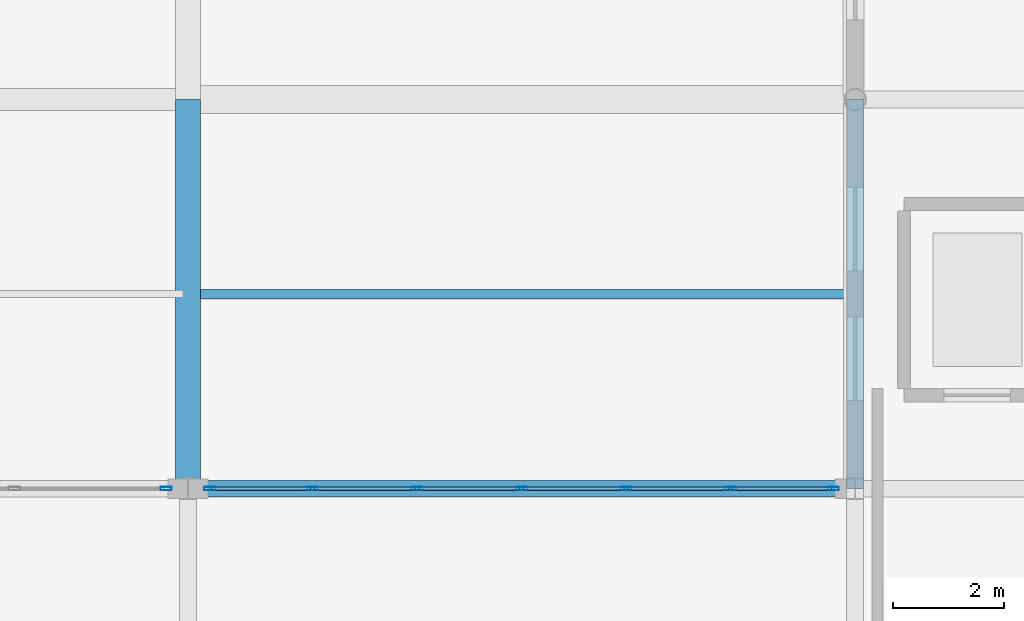
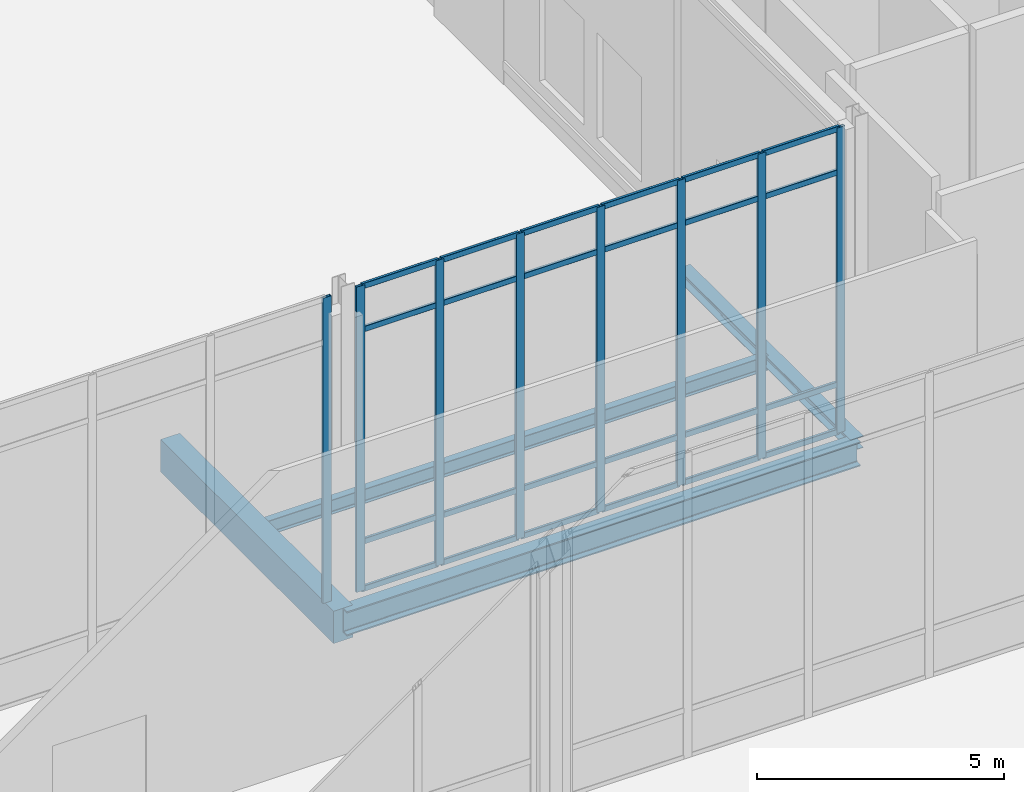
# One storey, part 110 of 176: 32 members, 4 beams, 2 elements without a shape of their own.
"""IFC4 building model written with IfcOpenShell, lengths in metres."""

import ifcopenshell
import ifcopenshell.guid

model = None  # the IFC model being written
_history = None  # IfcOwnerHistory: only IFC2X3 demands one
_inside = {}  # id of a spatial element -> (the spatial element, [elements in it])
_under = {}  # id of a project, library or spatial element -> (it, [spatial elements below it])
_declared = {}  # id of a project -> (the project, [libraries it declares])
_typed = {}  # id of a type object -> (the type object, [elements of that type])
_made_of = {}  # id of a material, layer set ... -> (it, [elements and type objects made of it])


def new_model(schema):
    """Start an empty IFC model of exactly this schema.

    Asked for "IFC4X3", IfcOpenShell would pick the latest addendum, in which some entities
    have other attributes; the version numbers below select the first issue.
    IFC2X3 requires an IfcOwnerHistory on every rooted entity: one is made here for all.
    """
    global model, _history
    if schema == "IFC4X3":
        model = ifcopenshell.file(schema_version=(4, 3, 0, 0))
    else:
        model = ifcopenshell.file(schema=schema)
    _inside.clear()
    _under.clear()
    _declared.clear()
    _typed.clear()
    _made_of.clear()
    _history = None
    if model.schema == "IFC2X3":
        org = make("IfcOrganization", Name="unknown")
        user = make(
            "IfcPersonAndOrganization",
            ThePerson=make("IfcPerson", FamilyName="unknown"),
            TheOrganization=org,
        )
        app = make(
            "IfcApplication",
            ApplicationDeveloper=org,
            Version="unknown",
            ApplicationFullName="unknown",
            ApplicationIdentifier="unknown",
        )
        _history = make(
            "IfcOwnerHistory",
            OwningUser=user,
            OwningApplication=app,
            ChangeAction="ADDED",
            CreationDate=0,
        )
    return model


def make(cls, **values):
    """One entity of the class cls with the attributes given. An attribute that is None is left unset."""
    return model.create_entity(
        cls, **{name: value for name, value in values.items() if value is not None}
    )


def rooted(cls, **values):
    """An entity with a GlobalId (a new one), such as an element, a storey or a relation."""
    return make(cls, GlobalId=ifcopenshell.guid.new(), OwnerHistory=_history, **values)


def si_unit(unit_type, name, prefix=None):
    """IfcSIUnit, for example si_unit("LENGTHUNIT", "METRE", prefix="MILLI")."""
    return make("IfcSIUnit", UnitType=unit_type, Prefix=prefix, Name=name)


def assignment(units):
    """IfcUnitAssignment: the units of a project."""
    return None if units is None else make("IfcUnitAssignment", Units=units)


def point(xyz):
    """IfcCartesianPoint."""
    return None if xyz is None else make("IfcCartesianPoint", Coordinates=xyz)


def direction(xyz):
    """IfcDirection."""
    return None if xyz is None else make("IfcDirection", DirectionRatios=xyz)


def frame(location, z_axis=None, x_axis=None):
    """IfcAxis2Placement3D, a coordinate frame: its origin and axes. An axis left out is left unset."""
    return make(
        "IfcAxis2Placement3D",
        Location=point(location),
        Axis=direction(z_axis),
        RefDirection=direction(x_axis),
    )


def frame_2d(location, x_axis=None):
    """IfcAxis2Placement2D, a coordinate frame in the plane: its origin and x axis."""
    return make(
        "IfcAxis2Placement2D", Location=point(location), RefDirection=direction(x_axis)
    )


def origin():
    """The frame at (0, 0, 0) with its axes left unset."""
    return frame((0.0, 0.0, 0.0))


def origin_2d():
    """The frame at (0, 0) in the plane with its x axis left unset."""
    return frame_2d((0.0, 0.0))


def place(relative_to, where):
    """IfcLocalPlacement: puts the frame where relative to a parent placement (None: the world)."""
    return make(
        "IfcLocalPlacement", PlacementRelTo=relative_to, RelativePlacement=where
    )


def context(
    kind, dimensions, precision=None, world=None, true_north=None, identifier=None
):
    """IfcGeometricRepresentationContext, for example the 3D "Model" context."""
    return make(
        "IfcGeometricRepresentationContext",
        ContextIdentifier=identifier,
        ContextType=kind,
        CoordinateSpaceDimension=dimensions,
        Precision=precision,
        WorldCoordinateSystem=world,
        TrueNorth=true_north,
    )


def subcontext(parent, identifier, kind, view, scale=None):
    """IfcGeometricRepresentationSubContext, for example "Body" below "Model"."""
    return make(
        "IfcGeometricRepresentationSubContext",
        ContextIdentifier=identifier,
        ContextType=kind,
        ParentContext=parent,
        TargetScale=scale,
        TargetView=view,
    )


def project(units=None, contexts=None):
    """IfcProject with its units and contexts."""
    return rooted(
        "IfcProject",
        Name="project",
        RepresentationContexts=contexts,
        UnitsInContext=assignment(units),
    )


def spatial(cls, under=None, at=None, **own):
    """A site, building, storey or space (cls), placed at a placement, below another one or the project."""
    s = rooted(cls, ObjectPlacement=at, **own)
    if under is not None:
        _under.setdefault(under.id(), (under, []))[1].append(s)
    return s


def profile(cls, at=None, kind="AREA", **sizes):
    """A parametric profile (cls). Its sizes go by their IFC names, for example OverallWidth=200.0."""
    return make(cls, ProfileType=kind, Position=at, **sizes)


def rectangle(**sizes):
    """IfcRectangleProfileDef."""
    return profile("IfcRectangleProfileDef", **sizes)


def hollow_rectangle(**sizes):
    """IfcRectangleHollowProfileDef."""
    return profile("IfcRectangleHollowProfileDef", **sizes)


def i_section(**sizes):
    """IfcIShapeProfileDef."""
    return profile("IfcIShapeProfileDef", **sizes)


def extrude(swept, where, along, depth):
    """IfcExtrudedAreaSolid: the profile swept, set in the frame where, extruded along a direction by depth."""
    return make(
        "IfcExtrudedAreaSolid",
        SweptArea=swept,
        Position=where,
        ExtrudedDirection=direction(along),
        Depth=depth,
    )


def shape(context_of_items, identifier, shape_type, items):
    """IfcShapeRepresentation: the items that make up one representation, for example the "Body"."""
    return make(
        "IfcShapeRepresentation",
        ContextOfItems=context_of_items,
        RepresentationIdentifier=identifier,
        RepresentationType=shape_type,
        Items=items,
    )


def material(Name=None, Category=None):
    """IfcMaterial."""
    return make("IfcMaterial", Name=Name, Category=Category)


def layer(
    of_material, thickness, ventilated=None, Name=None, Category=None, Priority=None
):
    """IfcMaterialLayer: one layer of a wall or slab, of a material (None: an air gap)."""
    return make(
        "IfcMaterialLayer",
        Material=of_material,
        LayerThickness=thickness,
        IsVentilated=ventilated,
        Name=Name,
        Category=Category,
        Priority=Priority,
    )


def layer_set(layers, Name=None):
    """IfcMaterialLayerSet."""
    return make("IfcMaterialLayerSet", MaterialLayers=layers, LayerSetName=Name)


def material_profile(
    of_material, cross_section, Name=None, Category=None, Priority=None
):
    """IfcMaterialProfile: a cross section and its material."""
    return make(
        "IfcMaterialProfile",
        Name=Name,
        Material=of_material,
        Profile=cross_section,
        Priority=Priority,
        Category=Category,
    )


def profile_set(profiles, Name=None, composite=None):
    """IfcMaterialProfileSet."""
    return make(
        "IfcMaterialProfileSet",
        Name=Name,
        MaterialProfiles=profiles,
        CompositeProfile=composite,
    )


def made_of(thing, what):
    """Note that an element or type object is made of a material, layer set ...; save() writes the relation."""
    if what is not None:
        _made_of.setdefault(what.id(), (what, []))[1].append(thing)
    return thing


def type_object(cls, material=None, **own):
    """A type object (cls), such as IfcWallType, which elements share."""
    return made_of(rooted(cls, **own), material)


def element(
    cls,
    number,
    at=None,
    inside=None,
    cuts=None,
    type_object=None,
    material=None,
    context=None,
    identifier="Body",
    shape_type=None,
    held_by="IfcProductDefinitionShape",
    body=None,
    shapes=None,
    **own,
):
    """One element of the class cls, such as IfcWall. Its Tag is "e" and its number.

    at: its placement. inside: the storey or other place that contains it. cuts: it is an
    opening in that element (IfcRelVoidsElement). A single representation is given by context,
    identifier, shape_type and body (its items); several are given by shapes. held_by: the class
    of the entity that holds the representations. save() writes the other relations.
    """
    e = rooted(cls, Tag="e%d" % number, ObjectPlacement=at, **own)
    if body is not None:
        shapes = [shape(context, identifier, shape_type, body)]
    if shapes is not None:
        e.Representation = make(held_by, Representations=shapes)
    if inside is not None:
        _inside.setdefault(inside.id(), (inside, []))[1].append(e)
    if cuts is not None:
        rooted(
            "IfcRelVoidsElement", RelatingBuildingElement=cuts, RelatedOpeningElement=e
        )
    if type_object is not None:
        _typed.setdefault(type_object.id(), (type_object, []))[1].append(e)
    return made_of(e, material)


def aggregate(whole, parts):
    """IfcRelAggregates: a whole, such as a stair, and the parts it consists of."""
    return rooted("IfcRelAggregates", RelatingObject=whole, RelatedObjects=parts)


def save(model, path):
    """Write the relations noted so far, then the file.

    IfcRelAggregates (storeys below a building ...), IfcRelContainedInSpatialStructure (elements
    in a storey), IfcRelDefinesByType, IfcRelAssociatesMaterial and IfcRelDeclares: one each for
    every whole, place, type object, material and project.
    """
    for whole, parts in _under.values():
        aggregate(whole, parts)
    for where, things in _inside.values():
        rooted(
            "IfcRelContainedInSpatialStructure",
            RelatedElements=things,
            RelatingStructure=where,
        )
    for kind, things in _typed.values():
        rooted("IfcRelDefinesByType", RelatedObjects=things, RelatingType=kind)
    for what, things in _made_of.values():
        rooted("IfcRelAssociatesMaterial", RelatedObjects=things, RelatingMaterial=what)
    for by, libraries in _declared.values():
        rooted("IfcRelDeclares", RelatingContext=by, RelatedDefinitions=libraries)
    model.write(path)


model = new_model("IFC4")

# Units and contexts
model_context = context("Model", 3, precision=1e-05, world=origin(), true_north=direction((0.0, 1.0)))
body_context = subcontext(model_context, "Body", "Model", "MODEL_VIEW")
ifc_project = project(units=[si_unit("LENGTHUNIT", "METRE"), si_unit("AREAUNIT", "SQUARE_METRE"), si_unit("VOLUMEUNIT", "CUBIC_METRE"), si_unit("PLANEANGLEUNIT", "RADIAN"), si_unit("MASSUNIT", "GRAM", prefix="KILO")], contexts=[model_context])

# Site, building, storey
site_placement = place(None, origin())
site = spatial("IfcSite", under=ifc_project, at=site_placement, CompositionType="ELEMENT")
building_placement = place(site_placement, origin())
building = spatial("IfcBuilding", under=site, at=building_placement, Name="Vekula Escarpment Museum", CompositionType="ELEMENT")
storey_placement = place(building_placement, origin())
storey = spatial("IfcBuildingStorey", under=building, at=storey_placement, Name="L01", CompositionType="ELEMENT", Elevation=0.0)

# Beams
ifc_material_1 = material(Name="Steel S355", Category="steel")
ifc_material_profile_1 = material_profile(ifc_material_1, i_section(OverallWidth=0.300048828125, OverallDepth=0.60009765625, WebThickness=0.015380859375, FlangeThickness=0.030029296875, FilletRadius=0.027099609375, at=origin_2d()), Name="HEB 600")
ifc_profile_set_1 = profile_set([ifc_material_profile_1], Name="Steel S355")
beam_type_1 = type_object("IfcBeamType", Name="BM-GIRD-HEB600", PredefinedType="BEAM", material=ifc_profile_set_1)
beam_1_placement = place(storey_placement, frame((155.0, 76.39990234375, -0.60009765625), z_axis=(1.0, 0.0, 0.0), x_axis=(0.0, 1.0, 0.0)))
element("IfcBeam", 1, at=beam_1_placement, inside=storey, type_object=beam_type_1, Name="Beam X L01 0225", PredefinedType="BEAM", context=body_context, shape_type="SweptSolid", body=[
    extrude(i_section(OverallWidth=0.300048828125, OverallDepth=0.60009765625, WebThickness=0.015380859375, FlangeThickness=0.030029296875, FilletRadius=0.027099609375, at=origin_2d()), origin(), (0.0, 0.0, 1.0), 12.0),
])
ifc_material_2 = material(Name="Steel S355", Category="steel")
ifc_material_profile_2 = material_profile(ifc_material_2, i_section(OverallWidth=0.169921875, OverallDepth=0.360107421875, WebThickness=0.008056640625, FlangeThickness=0.0126953125, FilletRadius=0.01806640625, at=origin_2d()), Name="IPE 360")
ifc_profile_set_2 = profile_set([ifc_material_profile_2], Name="Steel S355")
beam_type_2 = type_object("IfcBeamType", Name="BM-JST-IPE360", PredefinedType="JOIST", material=ifc_profile_set_2)
beam_2_placement = place(storey_placement, frame((155.090087890625, 79.89990234375, -0.47998046875), z_axis=(1.0, 0.0, 0.0), x_axis=(0.0, 1.0, 0.0)))
element("IfcBeam", 2, at=beam_2_placement, inside=storey, type_object=beam_type_2, Name="Secondary Joist L01 0525", PredefinedType="JOIST", context=body_context, shape_type="SweptSolid", body=[
    extrude(i_section(OverallWidth=0.169921875, OverallDepth=0.360107421875, WebThickness=0.008056640625, FlangeThickness=0.0126953125, FilletRadius=0.01806640625, at=origin_2d()), origin(), (0.0, 0.0, 1.0), 11.81982421875),
])
ifc_material_3 = material(Name="Concrete C35/45", Category="concrete")
ifc_material_profile_3 = material_profile(ifc_material_3, rectangle(XDim=0.449951171875, YDim=0.800048828125, at=origin_2d()), Name="RC 450x800")
ifc_profile_set_3 = profile_set([ifc_material_profile_3], Name="Concrete C35/45")
beam_type_3 = type_object("IfcBeamType", Name="BM-PLINTH-RC", PredefinedType="BEAM", material=ifc_profile_set_3)
beam_3_placement = place(storey_placement, frame((155.0, 76.39990234375, -0.699951171875), z_axis=(0.0, 1.0, 0.0), x_axis=(-1.0, 0.0, 0.0)))
element("IfcBeam", 3, at=beam_3_placement, inside=storey, type_object=beam_type_3, Name="Beam Y L01 0716", PredefinedType="BEAM", context=body_context, shape_type="SweptSolid", body=[
    extrude(rectangle(XDim=0.449951171875, YDim=0.800048828125, at=origin_2d()), origin(), (0.0, 0.0, 1.0), 7.0),
])
ifc_material_4 = material(Name="Steel S355", Category="steel")
ifc_material_profile_4 = material_profile(ifc_material_4, i_section(OverallWidth=0.300048828125, OverallDepth=0.2900390625, WebThickness=0.008544921875, FlangeThickness=0.013916015625, FilletRadius=0.027099609375, at=origin_2d()), Name="HEA 300")
ifc_profile_set_4 = profile_set([ifc_material_profile_4], Name="Steel S355")
beam_type_4 = type_object("IfcBeamType", Name="BM-SPAN-HEA300", PredefinedType="SPANDREL", material=ifc_profile_set_4)
beam_4_placement = place(storey_placement, frame((167.0, 76.39990234375, -0.445068359375), z_axis=(0.0, 1.0, 0.0), x_axis=(-1.0, 0.0, 0.0)))
element("IfcBeam", 4, at=beam_4_placement, inside=storey, type_object=beam_type_4, Name="Beam Y L01 0735", PredefinedType="SPANDREL", context=body_context, shape_type="SweptSolid", body=[
    extrude(i_section(OverallWidth=0.300048828125, OverallDepth=0.2900390625, WebThickness=0.008544921875, FlangeThickness=0.013916015625, FilletRadius=0.027099609375, at=origin_2d()), origin(), (0.0, 0.0, 1.0), 7.0),
])

# Curtain wall, members
ifc_material_5 = material(Name="Aluminium thermally broken framing", Category="aluminium")
ifc_layer_1 = layer(ifc_material_5, 0.14990234375)
ifc_layer_set_1 = layer_set([ifc_layer_1], Name="Aluminium thermally broken framing")
curtain_wall_type_1 = type_object("IfcCurtainWallType", Name="CW-SYS-09", PredefinedType="NOTDEFINED", material=ifc_layer_set_1)
curtain_wall_1_placement = place(storey_placement, origin())
curtain_wall_1 = element("IfcCurtainWall", 5, at=curtain_wall_1_placement, inside=storey, type_object=curtain_wall_type_1, Name="Curtain Wall CW-L01-019", PredefinedType="NOTDEFINED")
ifc_material_6 = material(Name="Aluminium anodized mullion", Category="aluminium")
ifc_material_profile_5 = material_profile(ifc_material_6, hollow_rectangle(XDim=0.06494140625, YDim=0.199951171875, WallThickness=0.00390625, InnerFilletRadius=0.00390625, OuterFilletRadius=0.008056640625, at=origin_2d()), Name="ALU 200x65x4")
ifc_profile_set_5 = profile_set([ifc_material_profile_5], Name="Aluminium anodized mullion")
member_type_1 = type_object("IfcMemberType", Name="CW-MUL-200", PredefinedType="MULLION", material=ifc_profile_set_5)
member_1_placement = place(storey_placement, frame((166.607421875, 76.39990234375, 0.0), z_axis=(0.0, 0.0, 1.0), x_axis=(0.0, -1.0, 0.0)))
member_1 = element("IfcMember", 6, at=member_1_placement, type_object=member_type_1, Name="CW-09 mullion 1", PredefinedType="MULLION", context=body_context, shape_type="SweptSolid", body=[
    extrude(hollow_rectangle(XDim=0.06494140625, YDim=0.199951171875, WallThickness=0.00390625, InnerFilletRadius=0.00390625, OuterFilletRadius=0.008056640625, at=origin_2d()), origin(), (0.0, 0.0, 1.0), 7.5400390625),
])
member_2_placement = place(storey_placement, frame((164.760009765625, 76.39990234375, 0.0), z_axis=(0.0, 0.0, 1.0), x_axis=(0.0, -1.0, 0.0)))
member_2 = element("IfcMember", 7, at=member_2_placement, type_object=member_type_1, Name="CW-09 mullion 2", PredefinedType="MULLION", context=body_context, shape_type="SweptSolid", body=[
    extrude(hollow_rectangle(XDim=0.06494140625, YDim=0.199951171875, WallThickness=0.00390625, InnerFilletRadius=0.00390625, OuterFilletRadius=0.008056640625, at=origin_2d()), origin(), (0.0, 0.0, 1.0), 7.5400390625),
])
member_3_placement = place(storey_placement, frame((162.8798828125, 76.39990234375, 0.0), z_axis=(0.0, 0.0, 1.0), x_axis=(0.0, -1.0, 0.0)))
member_3 = element("IfcMember", 8, at=member_3_placement, type_object=member_type_1, Name="CW-09 mullion 3", PredefinedType="MULLION", context=body_context, shape_type="SweptSolid", body=[
    extrude(hollow_rectangle(XDim=0.06494140625, YDim=0.199951171875, WallThickness=0.00390625, InnerFilletRadius=0.00390625, OuterFilletRadius=0.008056640625, at=origin_2d()), origin(), (0.0, 0.0, 1.0), 7.5400390625),
])
member_4_placement = place(storey_placement, frame((161.0, 76.39990234375, 0.0), z_axis=(0.0, 0.0, 1.0), x_axis=(0.0, -1.0, 0.0)))
member_4 = element("IfcMember", 9, at=member_4_placement, type_object=member_type_1, Name="CW-09 mullion 4", PredefinedType="MULLION", context=body_context, shape_type="SweptSolid", body=[
    extrude(hollow_rectangle(XDim=0.06494140625, YDim=0.199951171875, WallThickness=0.00390625, InnerFilletRadius=0.00390625, OuterFilletRadius=0.008056640625, at=origin_2d()), origin(), (0.0, 0.0, 1.0), 7.5400390625),
])
member_5_placement = place(storey_placement, frame((159.1201171875, 76.39990234375, 0.0), z_axis=(0.0, 0.0, 1.0), x_axis=(0.0, -1.0, 0.0)))
member_5 = element("IfcMember", 10, at=member_5_placement, type_object=member_type_1, Name="CW-09 mullion 5", PredefinedType="MULLION", context=body_context, shape_type="SweptSolid", body=[
    extrude(hollow_rectangle(XDim=0.06494140625, YDim=0.199951171875, WallThickness=0.00390625, InnerFilletRadius=0.00390625, OuterFilletRadius=0.008056640625, at=origin_2d()), origin(), (0.0, 0.0, 1.0), 7.5400390625),
])
member_6_placement = place(storey_placement, frame((157.239990234375, 76.39990234375, 0.0), z_axis=(0.0, 0.0, 1.0), x_axis=(0.0, -1.0, 0.0)))
member_6 = element("IfcMember", 11, at=member_6_placement, type_object=member_type_1, Name="CW-09 mullion 6", PredefinedType="MULLION", context=body_context, shape_type="SweptSolid", body=[
    extrude(hollow_rectangle(XDim=0.06494140625, YDim=0.199951171875, WallThickness=0.00390625, InnerFilletRadius=0.00390625, OuterFilletRadius=0.008056640625, at=origin_2d()), origin(), (0.0, 0.0, 1.0), 7.5400390625),
])
member_7_placement = place(storey_placement, frame((155.392578125, 76.39990234375, 0.0), z_axis=(0.0, 0.0, 1.0), x_axis=(0.0, -1.0, 0.0)))
member_7 = element("IfcMember", 12, at=member_7_placement, type_object=member_type_1, Name="CW-09 mullion 7", PredefinedType="MULLION", context=body_context, shape_type="SweptSolid", body=[
    extrude(hollow_rectangle(XDim=0.06494140625, YDim=0.199951171875, WallThickness=0.00390625, InnerFilletRadius=0.00390625, OuterFilletRadius=0.008056640625, at=origin_2d()), origin(), (0.0, 0.0, 1.0), 7.5400390625),
])

# Curtain wall, member
ifc_material_7 = material(Name="Aluminium thermally broken framing", Category="aluminium")
ifc_layer_2 = layer(ifc_material_7, 0.169921875)
ifc_layer_set_2 = layer_set([ifc_layer_2], Name="Aluminium thermally broken framing")
curtain_wall_type_2 = type_object("IfcCurtainWallType", Name="CW-SYS-10", PredefinedType="NOTDEFINED", material=ifc_layer_set_2)
curtain_wall_2_placement = place(storey_placement, origin())
curtain_wall_2 = element("IfcCurtainWall", 13, at=curtain_wall_2_placement, inside=storey, type_object=curtain_wall_type_2, Name="Curtain Wall CW-L01-020", PredefinedType="NOTDEFINED")
member_8_placement = place(storey_placement, frame((154.607421875, 76.39990234375, 0.0), z_axis=(0.0, 0.0, 1.0), x_axis=(0.0, -1.0, 0.0)))
member_8 = element("IfcMember", 14, at=member_8_placement, type_object=member_type_1, Name="CW-10 mullion 1", PredefinedType="MULLION", context=body_context, shape_type="SweptSolid", body=[
    extrude(hollow_rectangle(XDim=0.06494140625, YDim=0.199951171875, WallThickness=0.00390625, InnerFilletRadius=0.00390625, OuterFilletRadius=0.008056640625, at=origin_2d()), origin(), (0.0, 0.0, 1.0), 7.5400390625),
])
aggregate(curtain_wall_2, [member_8])

# Member
ifc_material_8 = material(Name="Aluminium anodized transom", Category="aluminium")
ifc_material_profile_6 = material_profile(ifc_material_8, hollow_rectangle(XDim=0.06494140625, YDim=0.139892578125, WallThickness=0.00390625, InnerFilletRadius=0.00390625, OuterFilletRadius=0.008056640625, at=origin_2d()), Name="ALU 140x65x4")
ifc_profile_set_6 = profile_set([ifc_material_profile_6], Name="Aluminium anodized transom")
member_type_2 = type_object("IfcMemberType", Name="CW-TRN-140", PredefinedType="USERDEFINED", material=ifc_profile_set_6)
member_9_placement = place(storey_placement, frame((166.574951171875, 76.39990234375, 0.032470703125), z_axis=(-1.0, 0.0, 0.0), x_axis=(0.0, -1.0, 0.0)))
member_9 = element("IfcMember", 15, at=member_9_placement, type_object=member_type_2, Name="CW-09 transom 1.1", ObjectType="TRANSOM", PredefinedType="USERDEFINED", context=body_context, shape_type="SweptSolid", body=[
    extrude(hollow_rectangle(XDim=0.06494140625, YDim=0.139892578125, WallThickness=0.00390625, InnerFilletRadius=0.00390625, OuterFilletRadius=0.008056640625, at=origin_2d()), origin(), (0.0, 0.0, 1.0), 1.782470703125),
])

member_10_placement = place(storey_placement, frame((166.574951171875, 76.39990234375, 1.199951171875), z_axis=(-1.0, 0.0, 0.0), x_axis=(0.0, -1.0, 0.0)))
member_10 = element("IfcMember", 16, at=member_10_placement, type_object=member_type_2, Name="CW-09 transom 1.2", ObjectType="TRANSOM", PredefinedType="USERDEFINED", context=body_context, shape_type="SweptSolid", body=[
    extrude(hollow_rectangle(XDim=0.06494140625, YDim=0.139892578125, WallThickness=0.00390625, InnerFilletRadius=0.00390625, OuterFilletRadius=0.008056640625, at=origin_2d()), origin(), (0.0, 0.0, 1.0), 1.782470703125),
])

member_11_placement = place(storey_placement, frame((166.574951171875, 76.39990234375, 6.43994140625), z_axis=(-1.0, 0.0, 0.0), x_axis=(0.0, -1.0, 0.0)))
member_11 = element("IfcMember", 17, at=member_11_placement, type_object=member_type_2, Name="CW-09 transom 1.3", ObjectType="TRANSOM", PredefinedType="USERDEFINED", context=body_context, shape_type="SweptSolid", body=[
    extrude(hollow_rectangle(XDim=0.06494140625, YDim=0.139892578125, WallThickness=0.00390625, InnerFilletRadius=0.00390625, OuterFilletRadius=0.008056640625, at=origin_2d()), origin(), (0.0, 0.0, 1.0), 1.782470703125),
])

member_12_placement = place(storey_placement, frame((166.574951171875, 76.39990234375, 7.507568359375), z_axis=(-1.0, 0.0, 0.0), x_axis=(0.0, -1.0, 0.0)))
member_12 = element("IfcMember", 18, at=member_12_placement, type_object=member_type_2, Name="CW-09 transom 1.4", ObjectType="TRANSOM", PredefinedType="USERDEFINED", context=body_context, shape_type="SweptSolid", body=[
    extrude(hollow_rectangle(XDim=0.06494140625, YDim=0.139892578125, WallThickness=0.00390625, InnerFilletRadius=0.00390625, OuterFilletRadius=0.008056640625, at=origin_2d()), origin(), (0.0, 0.0, 1.0), 1.782470703125),
])

member_13_placement = place(storey_placement, frame((164.7275390625, 76.39990234375, 0.032470703125), z_axis=(-1.0, 0.0, 0.0), x_axis=(0.0, -1.0, 0.0)))
member_13 = element("IfcMember", 19, at=member_13_placement, type_object=member_type_2, Name="CW-09 transom 2.1", ObjectType="TRANSOM", PredefinedType="USERDEFINED", context=body_context, shape_type="SweptSolid", body=[
    extrude(hollow_rectangle(XDim=0.06494140625, YDim=0.139892578125, WallThickness=0.00390625, InnerFilletRadius=0.00390625, OuterFilletRadius=0.008056640625, at=origin_2d()), origin(), (0.0, 0.0, 1.0), 1.81494140625),
])

member_14_placement = place(storey_placement, frame((164.7275390625, 76.39990234375, 1.199951171875), z_axis=(-1.0, 0.0, 0.0), x_axis=(0.0, -1.0, 0.0)))
member_14 = element("IfcMember", 20, at=member_14_placement, type_object=member_type_2, Name="CW-09 transom 2.2", ObjectType="TRANSOM", PredefinedType="USERDEFINED", context=body_context, shape_type="SweptSolid", body=[
    extrude(hollow_rectangle(XDim=0.06494140625, YDim=0.139892578125, WallThickness=0.00390625, InnerFilletRadius=0.00390625, OuterFilletRadius=0.008056640625, at=origin_2d()), origin(), (0.0, 0.0, 1.0), 1.81494140625),
])

member_15_placement = place(storey_placement, frame((164.7275390625, 76.39990234375, 6.43994140625), z_axis=(-1.0, 0.0, 0.0), x_axis=(0.0, -1.0, 0.0)))
member_15 = element("IfcMember", 21, at=member_15_placement, type_object=member_type_2, Name="CW-09 transom 2.3", ObjectType="TRANSOM", PredefinedType="USERDEFINED", context=body_context, shape_type="SweptSolid", body=[
    extrude(hollow_rectangle(XDim=0.06494140625, YDim=0.139892578125, WallThickness=0.00390625, InnerFilletRadius=0.00390625, OuterFilletRadius=0.008056640625, at=origin_2d()), origin(), (0.0, 0.0, 1.0), 1.81494140625),
])

member_16_placement = place(storey_placement, frame((164.7275390625, 76.39990234375, 7.507568359375), z_axis=(-1.0, 0.0, 0.0), x_axis=(0.0, -1.0, 0.0)))
member_16 = element("IfcMember", 22, at=member_16_placement, type_object=member_type_2, Name="CW-09 transom 2.4", ObjectType="TRANSOM", PredefinedType="USERDEFINED", context=body_context, shape_type="SweptSolid", body=[
    extrude(hollow_rectangle(XDim=0.06494140625, YDim=0.139892578125, WallThickness=0.00390625, InnerFilletRadius=0.00390625, OuterFilletRadius=0.008056640625, at=origin_2d()), origin(), (0.0, 0.0, 1.0), 1.81494140625),
])

member_17_placement = place(storey_placement, frame((162.847412109375, 76.39990234375, 0.032470703125), z_axis=(-1.0, 0.0, 0.0), x_axis=(0.0, -1.0, 0.0)))
member_17 = element("IfcMember", 23, at=member_17_placement, type_object=member_type_2, Name="CW-09 transom 3.1", ObjectType="TRANSOM", PredefinedType="USERDEFINED", context=body_context, shape_type="SweptSolid", body=[
    extrude(hollow_rectangle(XDim=0.06494140625, YDim=0.139892578125, WallThickness=0.00390625, InnerFilletRadius=0.00390625, OuterFilletRadius=0.008056640625, at=origin_2d()), origin(), (0.0, 0.0, 1.0), 1.81494140625),
])

member_18_placement = place(storey_placement, frame((162.847412109375, 76.39990234375, 1.199951171875), z_axis=(-1.0, 0.0, 0.0), x_axis=(0.0, -1.0, 0.0)))
member_18 = element("IfcMember", 24, at=member_18_placement, type_object=member_type_2, Name="CW-09 transom 3.2", ObjectType="TRANSOM", PredefinedType="USERDEFINED", context=body_context, shape_type="SweptSolid", body=[
    extrude(hollow_rectangle(XDim=0.06494140625, YDim=0.139892578125, WallThickness=0.00390625, InnerFilletRadius=0.00390625, OuterFilletRadius=0.008056640625, at=origin_2d()), origin(), (0.0, 0.0, 1.0), 1.81494140625),
])

member_19_placement = place(storey_placement, frame((162.847412109375, 76.39990234375, 6.43994140625), z_axis=(-1.0, 0.0, 0.0), x_axis=(0.0, -1.0, 0.0)))
member_19 = element("IfcMember", 25, at=member_19_placement, type_object=member_type_2, Name="CW-09 transom 3.3", ObjectType="TRANSOM", PredefinedType="USERDEFINED", context=body_context, shape_type="SweptSolid", body=[
    extrude(hollow_rectangle(XDim=0.06494140625, YDim=0.139892578125, WallThickness=0.00390625, InnerFilletRadius=0.00390625, OuterFilletRadius=0.008056640625, at=origin_2d()), origin(), (0.0, 0.0, 1.0), 1.81494140625),
])

member_20_placement = place(storey_placement, frame((162.847412109375, 76.39990234375, 7.507568359375), z_axis=(-1.0, 0.0, 0.0), x_axis=(0.0, -1.0, 0.0)))
member_20 = element("IfcMember", 26, at=member_20_placement, type_object=member_type_2, Name="CW-09 transom 3.4", ObjectType="TRANSOM", PredefinedType="USERDEFINED", context=body_context, shape_type="SweptSolid", body=[
    extrude(hollow_rectangle(XDim=0.06494140625, YDim=0.139892578125, WallThickness=0.00390625, InnerFilletRadius=0.00390625, OuterFilletRadius=0.008056640625, at=origin_2d()), origin(), (0.0, 0.0, 1.0), 1.81494140625),
])

member_21_placement = place(storey_placement, frame((160.967529296875, 76.39990234375, 0.032470703125), z_axis=(-1.0, 0.0, 0.0), x_axis=(0.0, -1.0, 0.0)))
member_21 = element("IfcMember", 27, at=member_21_placement, type_object=member_type_2, Name="CW-09 transom 4.1", ObjectType="TRANSOM", PredefinedType="USERDEFINED", context=body_context, shape_type="SweptSolid", body=[
    extrude(hollow_rectangle(XDim=0.06494140625, YDim=0.139892578125, WallThickness=0.00390625, InnerFilletRadius=0.00390625, OuterFilletRadius=0.008056640625, at=origin_2d()), origin(), (0.0, 0.0, 1.0), 1.81494140625),
])

member_22_placement = place(storey_placement, frame((160.967529296875, 76.39990234375, 1.199951171875), z_axis=(-1.0, 0.0, 0.0), x_axis=(0.0, -1.0, 0.0)))
member_22 = element("IfcMember", 28, at=member_22_placement, type_object=member_type_2, Name="CW-09 transom 4.2", ObjectType="TRANSOM", PredefinedType="USERDEFINED", context=body_context, shape_type="SweptSolid", body=[
    extrude(hollow_rectangle(XDim=0.06494140625, YDim=0.139892578125, WallThickness=0.00390625, InnerFilletRadius=0.00390625, OuterFilletRadius=0.008056640625, at=origin_2d()), origin(), (0.0, 0.0, 1.0), 1.81494140625),
])

member_23_placement = place(storey_placement, frame((160.967529296875, 76.39990234375, 6.43994140625), z_axis=(-1.0, 0.0, 0.0), x_axis=(0.0, -1.0, 0.0)))
member_23 = element("IfcMember", 29, at=member_23_placement, type_object=member_type_2, Name="CW-09 transom 4.3", ObjectType="TRANSOM", PredefinedType="USERDEFINED", context=body_context, shape_type="SweptSolid", body=[
    extrude(hollow_rectangle(XDim=0.06494140625, YDim=0.139892578125, WallThickness=0.00390625, InnerFilletRadius=0.00390625, OuterFilletRadius=0.008056640625, at=origin_2d()), origin(), (0.0, 0.0, 1.0), 1.81494140625),
])

member_24_placement = place(storey_placement, frame((160.967529296875, 76.39990234375, 7.507568359375), z_axis=(-1.0, 0.0, 0.0), x_axis=(0.0, -1.0, 0.0)))
member_24 = element("IfcMember", 30, at=member_24_placement, type_object=member_type_2, Name="CW-09 transom 4.4", ObjectType="TRANSOM", PredefinedType="USERDEFINED", context=body_context, shape_type="SweptSolid", body=[
    extrude(hollow_rectangle(XDim=0.06494140625, YDim=0.139892578125, WallThickness=0.00390625, InnerFilletRadius=0.00390625, OuterFilletRadius=0.008056640625, at=origin_2d()), origin(), (0.0, 0.0, 1.0), 1.81494140625),
])

member_25_placement = place(storey_placement, frame((159.08740234375, 76.39990234375, 0.032470703125), z_axis=(-1.0, 0.0, 0.0), x_axis=(0.0, -1.0, 0.0)))
member_25 = element("IfcMember", 31, at=member_25_placement, type_object=member_type_2, Name="CW-09 transom 5.1", ObjectType="TRANSOM", PredefinedType="USERDEFINED", context=body_context, shape_type="SweptSolid", body=[
    extrude(hollow_rectangle(XDim=0.06494140625, YDim=0.139892578125, WallThickness=0.00390625, InnerFilletRadius=0.00390625, OuterFilletRadius=0.008056640625, at=origin_2d()), origin(), (0.0, 0.0, 1.0), 1.81494140625),
])

member_26_placement = place(storey_placement, frame((159.08740234375, 76.39990234375, 1.199951171875), z_axis=(-1.0, 0.0, 0.0), x_axis=(0.0, -1.0, 0.0)))
member_26 = element("IfcMember", 32, at=member_26_placement, type_object=member_type_2, Name="CW-09 transom 5.2", ObjectType="TRANSOM", PredefinedType="USERDEFINED", context=body_context, shape_type="SweptSolid", body=[
    extrude(hollow_rectangle(XDim=0.06494140625, YDim=0.139892578125, WallThickness=0.00390625, InnerFilletRadius=0.00390625, OuterFilletRadius=0.008056640625, at=origin_2d()), origin(), (0.0, 0.0, 1.0), 1.81494140625),
])

member_27_placement = place(storey_placement, frame((159.08740234375, 76.39990234375, 6.43994140625), z_axis=(-1.0, 0.0, 0.0), x_axis=(0.0, -1.0, 0.0)))
member_27 = element("IfcMember", 33, at=member_27_placement, type_object=member_type_2, Name="CW-09 transom 5.3", ObjectType="TRANSOM", PredefinedType="USERDEFINED", context=body_context, shape_type="SweptSolid", body=[
    extrude(hollow_rectangle(XDim=0.06494140625, YDim=0.139892578125, WallThickness=0.00390625, InnerFilletRadius=0.00390625, OuterFilletRadius=0.008056640625, at=origin_2d()), origin(), (0.0, 0.0, 1.0), 1.81494140625),
])

member_28_placement = place(storey_placement, frame((159.08740234375, 76.39990234375, 7.507568359375), z_axis=(-1.0, 0.0, 0.0), x_axis=(0.0, -1.0, 0.0)))
member_28 = element("IfcMember", 34, at=member_28_placement, type_object=member_type_2, Name="CW-09 transom 5.4", ObjectType="TRANSOM", PredefinedType="USERDEFINED", context=body_context, shape_type="SweptSolid", body=[
    extrude(hollow_rectangle(XDim=0.06494140625, YDim=0.139892578125, WallThickness=0.00390625, InnerFilletRadius=0.00390625, OuterFilletRadius=0.008056640625, at=origin_2d()), origin(), (0.0, 0.0, 1.0), 1.81494140625),
])

member_29_placement = place(storey_placement, frame((157.20751953125, 76.39990234375, 0.032470703125), z_axis=(-1.0, 0.0, 0.0), x_axis=(0.0, -1.0, 0.0)))
member_29 = element("IfcMember", 35, at=member_29_placement, type_object=member_type_2, Name="CW-09 transom 6.1", ObjectType="TRANSOM", PredefinedType="USERDEFINED", context=body_context, shape_type="SweptSolid", body=[
    extrude(hollow_rectangle(XDim=0.06494140625, YDim=0.139892578125, WallThickness=0.00390625, InnerFilletRadius=0.00390625, OuterFilletRadius=0.008056640625, at=origin_2d()), origin(), (0.0, 0.0, 1.0), 1.782470703125),
])

member_30_placement = place(storey_placement, frame((157.20751953125, 76.39990234375, 1.199951171875), z_axis=(-1.0, 0.0, 0.0), x_axis=(0.0, -1.0, 0.0)))
member_30 = element("IfcMember", 36, at=member_30_placement, type_object=member_type_2, Name="CW-09 transom 6.2", ObjectType="TRANSOM", PredefinedType="USERDEFINED", context=body_context, shape_type="SweptSolid", body=[
    extrude(hollow_rectangle(XDim=0.06494140625, YDim=0.139892578125, WallThickness=0.00390625, InnerFilletRadius=0.00390625, OuterFilletRadius=0.008056640625, at=origin_2d()), origin(), (0.0, 0.0, 1.0), 1.782470703125),
])

member_31_placement = place(storey_placement, frame((157.20751953125, 76.39990234375, 6.43994140625), z_axis=(-1.0, 0.0, 0.0), x_axis=(0.0, -1.0, 0.0)))
member_31 = element("IfcMember", 37, at=member_31_placement, type_object=member_type_2, Name="CW-09 transom 6.3", ObjectType="TRANSOM", PredefinedType="USERDEFINED", context=body_context, shape_type="SweptSolid", body=[
    extrude(hollow_rectangle(XDim=0.06494140625, YDim=0.139892578125, WallThickness=0.00390625, InnerFilletRadius=0.00390625, OuterFilletRadius=0.008056640625, at=origin_2d()), origin(), (0.0, 0.0, 1.0), 1.782470703125),
])

member_32_placement = place(storey_placement, frame((157.20751953125, 76.39990234375, 7.507568359375), z_axis=(-1.0, 0.0, 0.0), x_axis=(0.0, -1.0, 0.0)))
member_32 = element("IfcMember", 38, at=member_32_placement, type_object=member_type_2, Name="CW-09 transom 6.4", ObjectType="TRANSOM", PredefinedType="USERDEFINED", context=body_context, shape_type="SweptSolid", body=[
    extrude(hollow_rectangle(XDim=0.06494140625, YDim=0.139892578125, WallThickness=0.00390625, InnerFilletRadius=0.00390625, OuterFilletRadius=0.008056640625, at=origin_2d()), origin(), (0.0, 0.0, 1.0), 1.782470703125),
])

aggregate(curtain_wall_1, [member_1, member_2, member_3, member_4, member_5, member_6, member_7, member_9, member_10, member_11, member_12, member_13, member_14, member_15, member_16, member_17, member_18, member_19, member_20, member_21, member_22, member_23, member_24, member_25, member_26, member_27, member_28, member_29, member_30, member_31, member_32])

save(model, "model.ifc")
